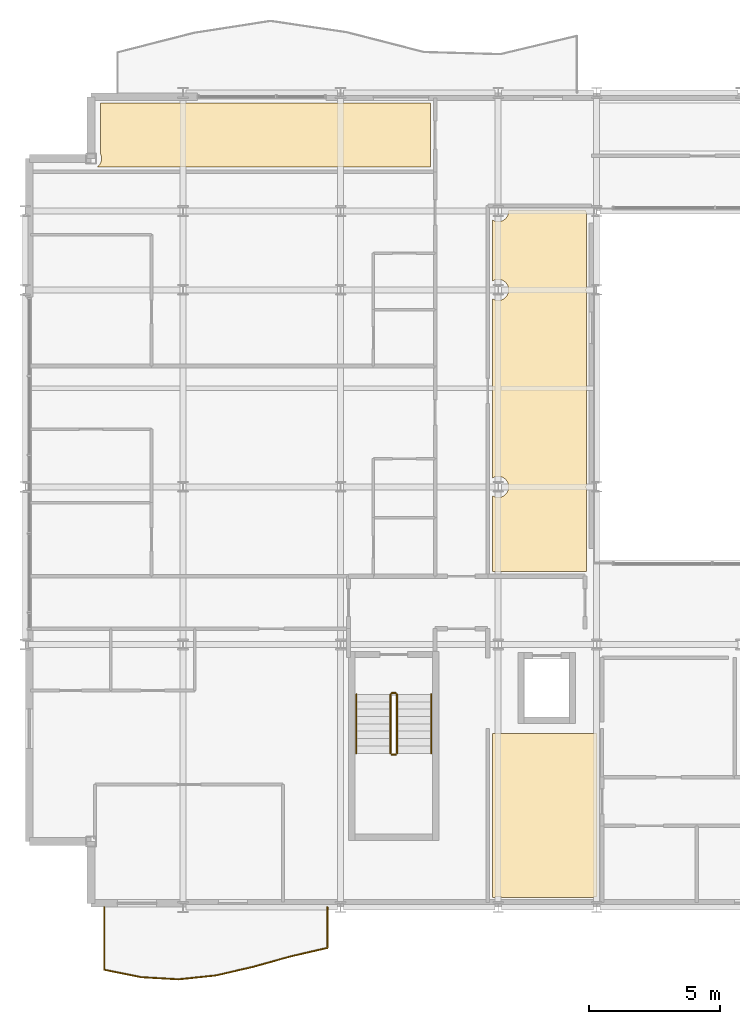
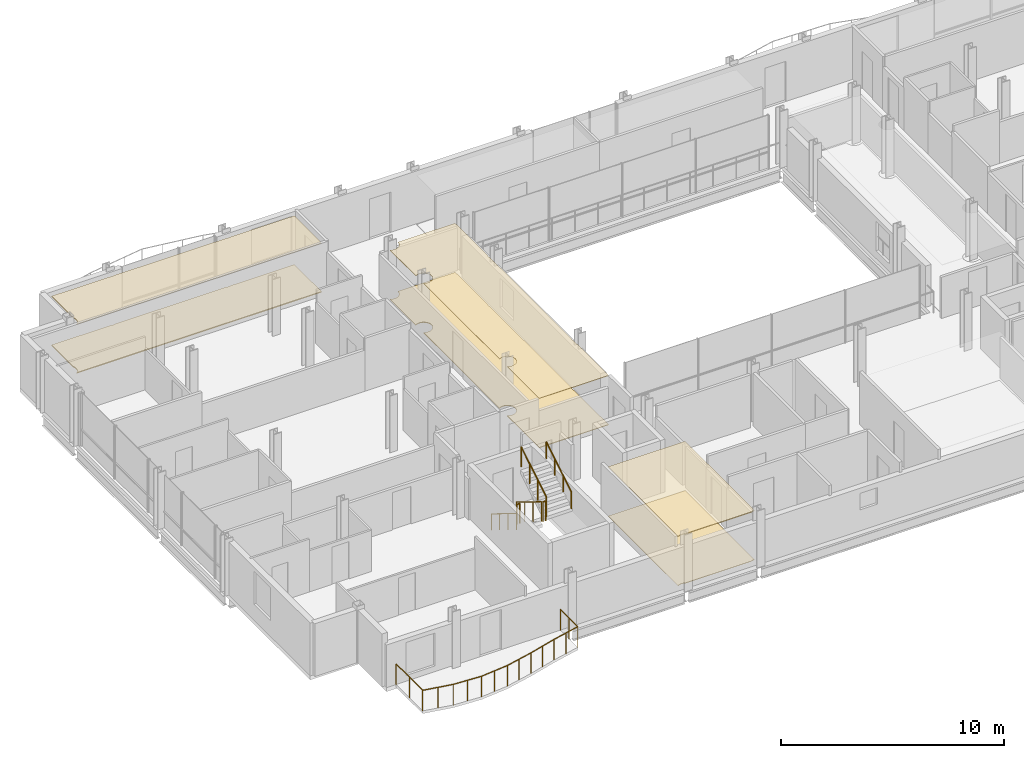
# One storey, part 39 of 41: 7 railings, 6 coverings.
"""IFC4 building model written with IfcOpenShell, lengths in metres."""

from ifc_helpers import new_model, si_unit, direction, frame, origin, origin_2d, place, context, subcontext, project, spatial, polyline, circle, outline, extrude, material, layer, layer_set, type_object, element, save


model = new_model("IFC4")

# Units and contexts
model_context = context("Model", 3, precision=1e-05, world=origin(), true_north=direction((0.0, 1.0)))
body_context = subcontext(model_context, "Body", "Model", "MODEL_VIEW")
ifc_project = project(units=[si_unit("LENGTHUNIT", "METRE"), si_unit("AREAUNIT", "SQUARE_METRE"), si_unit("VOLUMEUNIT", "CUBIC_METRE"), si_unit("PLANEANGLEUNIT", "RADIAN"), si_unit("MASSUNIT", "GRAM", prefix="KILO")], contexts=[model_context])

# Site, building, storey
site_placement = place(None, origin())
site = spatial("IfcSite", under=ifc_project, at=site_placement, CompositionType="ELEMENT")
building_placement = place(site_placement, origin())
building = spatial("IfcBuilding", under=site, at=building_placement, Name="Brevholm Reach", CompositionType="ELEMENT")
storey_placement = place(building_placement, frame((0.0, 0.0, 169.699951171875)))
storey = spatial("IfcBuildingStorey", under=building, at=storey_placement, Name="L51", CompositionType="ELEMENT", Elevation=169.699951171875)

# Coverings
ifc_material_1 = material(Name="Perforated Mineral-Fibre Class-A Acoustic Suspended Ceiling", Category="gypsum")
ifc_layer_1 = layer(ifc_material_1, 0.044921875)
ifc_layer_set_1 = layer_set([ifc_layer_1], Name="Perforated Mineral-Fibre Class-A Acoustic Suspended Ceiling")
covering_type_1 = type_object("IfcCoveringType", Name="COV-CLG-AC", PredefinedType="CEILING", material=ifc_layer_set_1)
covering_1_placement = place(storey_placement, frame((0.0, 0.0, 2.675048828125)))
element("IfcCovering", 1, at=covering_1_placement, inside=storey, type_object=covering_type_1, Name="L51 Suspended Ceiling L51-23", PredefinedType="CEILING", context=body_context, shape_type="SweptSolid", body=[
    extrude(outline(polyline([(21.76611328125, 6.6201171875), (21.76611328125, 0.399169921875), (21.75, 0.39990234375), (21.710693359375, 0.398193359375), (21.672119140625, 0.392333984375), (21.6337890625, 0.3828125), (21.596923828125, 0.36962890625), (21.57666015625, 0.360107421875), (18.17333984375, 0.360107421875), (18.153076171875, 0.36962890625), (18.1162109375, 0.3828125), (18.077880859375, 0.392333984375), (18.039306640625, 0.398193359375), (18.0, 0.39990234375), (17.960693359375, 0.398193359375), (17.922119140625, 0.392333984375), (17.8837890625, 0.3828125), (17.846923828125, 0.36962890625), (17.82666015625, 0.360107421875), (17.783935546875, 0.360107421875), (17.783935546875, 6.6201171875), (21.76611328125, 6.6201171875)])), origin(), (0.0, 0.0, 1.0), 0.044921875),
])
covering_2_placement = place(storey_placement, frame((0.0, 0.0, 2.675048828125)))
element("IfcCovering", 2, at=covering_2_placement, inside=storey, type_object=covering_type_1, Name="L51 Suspended Ceiling L51-59", PredefinedType="CEILING", context=body_context, shape_type="SweptSolid", body=[
    extrude(outline(polyline([(2.860107421875, 30.6201171875), (5.876220703125, 30.6201171875), (5.8837890625, 30.6171875), (5.922119140625, 30.607666015625), (5.960693359375, 30.601806640625), (6.0, 30.60009765625), (6.039306640625, 30.601806640625), (6.077880859375, 30.607666015625), (6.1162109375, 30.6171875), (6.123779296875, 30.6201171875), (11.876220703125, 30.6201171875), (11.8837890625, 30.6171875), (11.922119140625, 30.607666015625), (11.960693359375, 30.601806640625), (12.0, 30.60009765625), (12.039306640625, 30.601806640625), (12.077880859375, 30.607666015625), (12.1162109375, 30.6171875), (12.123779296875, 30.6201171875), (15.416015625, 30.6201171875), (15.416015625, 28.18408203125), (2.74462890625, 28.18408203125), (2.75390625, 28.19091796875), (2.78271484375, 28.21728515625), (2.80908203125, 28.24609375), (2.83251953125, 28.27783203125), (2.852783203125, 28.311279296875), (2.86962890625, 28.346923828125), (2.8828125, 28.3837890625), (2.892333984375, 28.422119140625), (2.898193359375, 28.460693359375), (2.89990234375, 28.5), (2.898193359375, 28.539306640625), (2.892333984375, 28.577880859375), (2.8828125, 28.6162109375), (2.86962890625, 28.653076171875), (2.860107421875, 28.67333984375), (2.860107421875, 30.6201171875)])), origin(), (0.0, 0.0, 1.0), 0.044921875),
])
ifc_material_2 = material(Name="Moisture-Resistant Skimmed Gypsum Plasterboard Ceiling", Category="gypsum")
ifc_layer_2 = layer(ifc_material_2, 0.030029296875)
ifc_layer_set_2 = layer_set([ifc_layer_2], Name="Moisture-Resistant Skimmed Gypsum Plasterboard Ceiling")
covering_type_2 = type_object("IfcCoveringType", Name="COV-CLG-GYP", PredefinedType="CEILING", material=ifc_layer_set_2)
covering_3_placement = place(storey_placement, frame((0.0, 0.0, 2.68994140625)))
element("IfcCovering", 3, at=covering_3_placement, inside=storey, type_object=covering_type_2, Name="L51 Suspended Ceiling L51-57", PredefinedType="CEILING", context=body_context, shape_type="SweptSolid", body=[
    extrude(outline(polyline([(21.3701171875, 23.623779296875), (21.3671875, 23.6162109375), (21.357666015625, 23.577880859375), (21.351806640625, 23.539306640625), (21.35009765625, 23.5), (21.351806640625, 23.460693359375), (21.357666015625, 23.422119140625), (21.3671875, 23.3837890625), (21.3701171875, 23.376220703125), (21.3701171875, 16.123779296875), (21.3671875, 16.1162109375), (21.357666015625, 16.077880859375), (21.351806640625, 16.039306640625), (21.35009765625, 16.0), (21.351806640625, 15.960693359375), (21.357666015625, 15.922119140625), (21.3671875, 15.8837890625), (21.3701171875, 15.876220703125), (21.3701171875, 12.783935546875), (17.783935546875, 12.783935546875), (17.783935546875, 15.663818359375), (17.811279296875, 15.647216796875), (17.846923828125, 15.63037109375), (17.8837890625, 15.6171875), (17.922119140625, 15.607666015625), (17.960693359375, 15.601806640625), (18.0, 15.60009765625), (18.039306640625, 15.601806640625), (18.077880859375, 15.607666015625), (18.1162109375, 15.6171875), (18.153076171875, 15.63037109375), (18.188720703125, 15.647216796875), (18.22216796875, 15.66748046875), (18.25390625, 15.69091796875), (18.28271484375, 15.71728515625), (18.30908203125, 15.74609375), (18.33251953125, 15.77783203125), (18.352783203125, 15.811279296875), (18.36962890625, 15.846923828125), (18.3828125, 15.8837890625), (18.392333984375, 15.922119140625), (18.398193359375, 15.960693359375), (18.39990234375, 16.0), (18.398193359375, 16.039306640625), (18.392333984375, 16.077880859375), (18.3828125, 16.1162109375), (18.36962890625, 16.153076171875), (18.352783203125, 16.188720703125), (18.33251953125, 16.22216796875), (18.30908203125, 16.25390625), (18.28271484375, 16.28271484375), (18.25390625, 16.30908203125), (18.22216796875, 16.33251953125), (18.188720703125, 16.352783203125), (18.153076171875, 16.36962890625), (18.1162109375, 16.3828125), (18.077880859375, 16.392333984375), (18.039306640625, 16.398193359375), (18.0, 16.39990234375), (17.960693359375, 16.398193359375), (17.922119140625, 16.392333984375), (17.8837890625, 16.3828125), (17.846923828125, 16.36962890625), (17.811279296875, 16.352783203125), (17.783935546875, 16.336181640625), (17.783935546875, 23.163818359375), (17.811279296875, 23.147216796875), (17.846923828125, 23.13037109375), (17.8837890625, 23.1171875), (17.922119140625, 23.107666015625), (17.960693359375, 23.101806640625), (18.0, 23.10009765625), (18.039306640625, 23.101806640625), (18.077880859375, 23.107666015625), (18.1162109375, 23.1171875), (18.153076171875, 23.13037109375), (18.188720703125, 23.147216796875), (18.22216796875, 23.16748046875), (18.25390625, 23.19091796875), (18.28271484375, 23.21728515625), (18.30908203125, 23.24609375), (18.33251953125, 23.27783203125), (18.352783203125, 23.311279296875), (18.36962890625, 23.346923828125), (18.3828125, 23.3837890625), (18.392333984375, 23.422119140625), (18.398193359375, 23.460693359375), (18.39990234375, 23.5), (18.398193359375, 23.539306640625), (18.392333984375, 23.577880859375), (18.3828125, 23.6162109375), (18.36962890625, 23.653076171875), (18.352783203125, 23.688720703125), (18.33251953125, 23.72216796875), (18.30908203125, 23.75390625), (18.28271484375, 23.78271484375), (18.25390625, 23.80908203125), (18.22216796875, 23.83251953125), (18.188720703125, 23.852783203125), (18.153076171875, 23.86962890625), (18.1162109375, 23.8828125), (18.077880859375, 23.892333984375), (18.039306640625, 23.898193359375), (18.0, 23.89990234375), (17.960693359375, 23.898193359375), (17.922119140625, 23.892333984375), (17.8837890625, 23.8828125), (17.846923828125, 23.86962890625), (17.811279296875, 23.852783203125), (17.783935546875, 23.836181640625), (17.783935546875, 26.163818359375), (17.811279296875, 26.147216796875), (17.846923828125, 26.13037109375), (17.8837890625, 26.1171875), (17.922119140625, 26.107666015625), (17.960693359375, 26.101806640625), (18.0, 26.10009765625), (18.039306640625, 26.101806640625), (18.077880859375, 26.107666015625), (18.1162109375, 26.1171875), (18.153076171875, 26.13037109375), (18.188720703125, 26.147216796875), (18.22216796875, 26.16748046875), (18.25390625, 26.19091796875), (18.28271484375, 26.21728515625), (18.30908203125, 26.24609375), (18.33251953125, 26.27783203125), (18.352783203125, 26.311279296875), (18.36962890625, 26.346923828125), (18.3828125, 26.3837890625), (18.392333984375, 26.422119140625), (18.398193359375, 26.460693359375), (18.39990234375, 26.5), (18.399169921875, 26.51611328125), (21.350830078125, 26.51611328125), (21.35009765625, 26.5), (21.351806640625, 26.460693359375), (21.357666015625, 26.422119140625), (21.3671875, 26.3837890625), (21.3701171875, 26.376220703125), (21.3701171875, 23.623779296875)])), origin(), (0.0, 0.0, 1.0), 0.030029296875),
])
ifc_material_3 = material(Name="Engineered European Oak Acoustic Plank Flooring", Category="timber")
ifc_layer_3 = layer(ifc_material_3, 0.02197265625)
ifc_layer_set_3 = layer_set([ifc_layer_3], Name="Engineered European Oak Acoustic Plank Flooring")
covering_type_3 = type_object("IfcCoveringType", Name="COV-FLR-OAK", PredefinedType="FLOORING", material=ifc_layer_set_3)
covering_4_placement = place(storey_placement, origin())
element("IfcCovering", 4, at=covering_4_placement, inside=storey, type_object=covering_type_3, Name="L51 Floor Finish L51-23", PredefinedType="FLOORING", context=body_context, shape_type="SweptSolid", body=[
    extrude(outline(polyline([(21.76611328125, 6.6201171875), (21.76611328125, 0.399169921875), (21.75, 0.39990234375), (21.710693359375, 0.398193359375), (21.672119140625, 0.392333984375), (21.6337890625, 0.3828125), (21.596923828125, 0.36962890625), (21.57666015625, 0.360107421875), (18.17333984375, 0.360107421875), (18.153076171875, 0.36962890625), (18.1162109375, 0.3828125), (18.077880859375, 0.392333984375), (18.039306640625, 0.398193359375), (18.0, 0.39990234375), (17.960693359375, 0.398193359375), (17.922119140625, 0.392333984375), (17.8837890625, 0.3828125), (17.846923828125, 0.36962890625), (17.82666015625, 0.360107421875), (17.783935546875, 0.360107421875), (17.783935546875, 6.6201171875), (21.76611328125, 6.6201171875)])), origin(), (0.0, 0.0, 1.0), 0.02197265625),
])
ifc_material_4 = material(Name="Sprung Beech Sports Hall Shock-Absorbing Floor System", Category="timber")
ifc_layer_4 = layer(ifc_material_4, 0.052001953125)
ifc_layer_set_4 = layer_set([ifc_layer_4], Name="Sprung Beech Sports Hall Shock-Absorbing Floor System")
covering_type_4 = type_object("IfcCoveringType", Name="COV-FLR-SPR", PredefinedType="FLOORING", material=ifc_layer_set_4)
covering_5_placement = place(storey_placement, origin())
element("IfcCovering", 5, at=covering_5_placement, inside=storey, type_object=covering_type_4, Name="L51 Sprung Sports Floor Finish L51-59", PredefinedType="FLOORING", context=body_context, shape_type="SweptSolid", body=[
    extrude(outline(polyline([(2.860107421875, 30.6201171875), (5.876220703125, 30.6201171875), (5.8837890625, 30.6171875), (5.922119140625, 30.607666015625), (5.960693359375, 30.601806640625), (6.0, 30.60009765625), (6.039306640625, 30.601806640625), (6.077880859375, 30.607666015625), (6.1162109375, 30.6171875), (6.123779296875, 30.6201171875), (11.876220703125, 30.6201171875), (11.8837890625, 30.6171875), (11.922119140625, 30.607666015625), (11.960693359375, 30.601806640625), (12.0, 30.60009765625), (12.039306640625, 30.601806640625), (12.077880859375, 30.607666015625), (12.1162109375, 30.6171875), (12.123779296875, 30.6201171875), (15.416015625, 30.6201171875), (15.416015625, 28.18408203125), (2.74462890625, 28.18408203125), (2.75390625, 28.19091796875), (2.78271484375, 28.21728515625), (2.80908203125, 28.24609375), (2.83251953125, 28.27783203125), (2.852783203125, 28.311279296875), (2.86962890625, 28.346923828125), (2.8828125, 28.3837890625), (2.892333984375, 28.422119140625), (2.898193359375, 28.460693359375), (2.89990234375, 28.5), (2.898193359375, 28.539306640625), (2.892333984375, 28.577880859375), (2.8828125, 28.6162109375), (2.86962890625, 28.653076171875), (2.860107421875, 28.67333984375), (2.860107421875, 30.6201171875)])), origin(), (0.0, 0.0, 1.0), 0.052001953125),
])
ifc_material_5 = material(Name="Honed Portland-Aggregate Resin Terrazzo Flooring", Category="concrete")
ifc_layer_5 = layer(ifc_material_5, 0.031982421875)
ifc_layer_set_5 = layer_set([ifc_layer_5], Name="Honed Portland-Aggregate Resin Terrazzo Flooring")
covering_type_5 = type_object("IfcCoveringType", Name="COV-FLR-TRZ", PredefinedType="FLOORING", material=ifc_layer_set_5)
covering_6_placement = place(storey_placement, origin())
element("IfcCovering", 6, at=covering_6_placement, inside=storey, type_object=covering_type_5, Name="L51 Floor Finish L51-57", PredefinedType="FLOORING", context=body_context, shape_type="SweptSolid", body=[
    extrude(outline(polyline([(21.3701171875, 23.623779296875), (21.3671875, 23.6162109375), (21.357666015625, 23.577880859375), (21.351806640625, 23.539306640625), (21.35009765625, 23.5), (21.351806640625, 23.460693359375), (21.357666015625, 23.422119140625), (21.3671875, 23.3837890625), (21.3701171875, 23.376220703125), (21.3701171875, 16.123779296875), (21.3671875, 16.1162109375), (21.357666015625, 16.077880859375), (21.351806640625, 16.039306640625), (21.35009765625, 16.0), (21.351806640625, 15.960693359375), (21.357666015625, 15.922119140625), (21.3671875, 15.8837890625), (21.3701171875, 15.876220703125), (21.3701171875, 12.783935546875), (17.783935546875, 12.783935546875), (17.783935546875, 15.663818359375), (17.811279296875, 15.647216796875), (17.846923828125, 15.63037109375), (17.8837890625, 15.6171875), (17.922119140625, 15.607666015625), (17.960693359375, 15.601806640625), (18.0, 15.60009765625), (18.039306640625, 15.601806640625), (18.077880859375, 15.607666015625), (18.1162109375, 15.6171875), (18.153076171875, 15.63037109375), (18.188720703125, 15.647216796875), (18.22216796875, 15.66748046875), (18.25390625, 15.69091796875), (18.28271484375, 15.71728515625), (18.30908203125, 15.74609375), (18.33251953125, 15.77783203125), (18.352783203125, 15.811279296875), (18.36962890625, 15.846923828125), (18.3828125, 15.8837890625), (18.392333984375, 15.922119140625), (18.398193359375, 15.960693359375), (18.39990234375, 16.0), (18.398193359375, 16.039306640625), (18.392333984375, 16.077880859375), (18.3828125, 16.1162109375), (18.36962890625, 16.153076171875), (18.352783203125, 16.188720703125), (18.33251953125, 16.22216796875), (18.30908203125, 16.25390625), (18.28271484375, 16.28271484375), (18.25390625, 16.30908203125), (18.22216796875, 16.33251953125), (18.188720703125, 16.352783203125), (18.153076171875, 16.36962890625), (18.1162109375, 16.3828125), (18.077880859375, 16.392333984375), (18.039306640625, 16.398193359375), (18.0, 16.39990234375), (17.960693359375, 16.398193359375), (17.922119140625, 16.392333984375), (17.8837890625, 16.3828125), (17.846923828125, 16.36962890625), (17.811279296875, 16.352783203125), (17.783935546875, 16.336181640625), (17.783935546875, 23.163818359375), (17.811279296875, 23.147216796875), (17.846923828125, 23.13037109375), (17.8837890625, 23.1171875), (17.922119140625, 23.107666015625), (17.960693359375, 23.101806640625), (18.0, 23.10009765625), (18.039306640625, 23.101806640625), (18.077880859375, 23.107666015625), (18.1162109375, 23.1171875), (18.153076171875, 23.13037109375), (18.188720703125, 23.147216796875), (18.22216796875, 23.16748046875), (18.25390625, 23.19091796875), (18.28271484375, 23.21728515625), (18.30908203125, 23.24609375), (18.33251953125, 23.27783203125), (18.352783203125, 23.311279296875), (18.36962890625, 23.346923828125), (18.3828125, 23.3837890625), (18.392333984375, 23.422119140625), (18.398193359375, 23.460693359375), (18.39990234375, 23.5), (18.398193359375, 23.539306640625), (18.392333984375, 23.577880859375), (18.3828125, 23.6162109375), (18.36962890625, 23.653076171875), (18.352783203125, 23.688720703125), (18.33251953125, 23.72216796875), (18.30908203125, 23.75390625), (18.28271484375, 23.78271484375), (18.25390625, 23.80908203125), (18.22216796875, 23.83251953125), (18.188720703125, 23.852783203125), (18.153076171875, 23.86962890625), (18.1162109375, 23.8828125), (18.077880859375, 23.892333984375), (18.039306640625, 23.898193359375), (18.0, 23.89990234375), (17.960693359375, 23.898193359375), (17.922119140625, 23.892333984375), (17.8837890625, 23.8828125), (17.846923828125, 23.86962890625), (17.811279296875, 23.852783203125), (17.783935546875, 23.836181640625), (17.783935546875, 26.163818359375), (17.811279296875, 26.147216796875), (17.846923828125, 26.13037109375), (17.8837890625, 26.1171875), (17.922119140625, 26.107666015625), (17.960693359375, 26.101806640625), (18.0, 26.10009765625), (18.039306640625, 26.101806640625), (18.077880859375, 26.107666015625), (18.1162109375, 26.1171875), (18.153076171875, 26.13037109375), (18.188720703125, 26.147216796875), (18.22216796875, 26.16748046875), (18.25390625, 26.19091796875), (18.28271484375, 26.21728515625), (18.30908203125, 26.24609375), (18.33251953125, 26.27783203125), (18.352783203125, 26.311279296875), (18.36962890625, 26.346923828125), (18.3828125, 26.3837890625), (18.392333984375, 26.422119140625), (18.398193359375, 26.460693359375), (18.39990234375, 26.5), (18.399169921875, 26.51611328125), (21.350830078125, 26.51611328125), (21.35009765625, 26.5), (21.351806640625, 26.460693359375), (21.357666015625, 26.422119140625), (21.3671875, 26.3837890625), (21.3701171875, 26.376220703125), (21.3701171875, 23.623779296875)])), origin(), (0.0, 0.0, 1.0), 0.031982421875),
])

# Railings
ifc_material_6 = material(Name="Brushed Stainless Steel EN 1.4401 and Laminated Glass", Category="steel")
railing_type_1 = type_object("IfcRailingType", Name="RAL-BALC-1150", PredefinedType="BALUSTRADE", material=ifc_material_6)
railing_1_placement = place(storey_placement, frame((3.0, 0.0, 0.0)))
element("IfcRailing", 7, at=railing_1_placement, inside=storey, type_object=railing_type_1, Name="L51 Guard Balustrade RAL-L51-BAL-SW", PredefinedType="BALUSTRADE", context=body_context, shape_type="SweptSolid", body=[
    extrude(circle(Radius=0.02392578125, at=origin_2d()), frame((0.0, 0.0, 1.1259765625), z_axis=(0.0, -1.0, 0.0), x_axis=(1.0, 0.0, 0.0)), (0.0, 0.0, 1.0), 2.38134765625),
    extrude(circle(Radius=0.02392578125, at=origin_2d()), frame((0.0, -2.38134765625, 1.1259765625), z_axis=(0.980502614423, -0.196506038355, 0.0), x_axis=(0.196506038355, 0.980502614423, 0.0)), (0.0, 0.0, 1.0), 1.44482421875),
    extrude(circle(Radius=0.02392578125, at=origin_2d()), frame((1.416748046875, -2.665283203125, 1.1259765625), z_axis=(0.998327360231, -0.057814200799, 0.0), x_axis=(0.057814200799, 0.998327360231, 0.0)), (0.0, 0.0, 1.0), 1.4189453125),
    extrude(circle(Radius=0.02392578125, at=origin_2d()), frame((2.833251953125, -2.747314453125, 1.1259765625), z_axis=(0.994609205974, 0.103694394212, 0.0), x_axis=(-0.103694394212, 0.994609205974, 0.0)), (0.0, 0.0, 1.0), 1.42431640625),
    extrude(circle(Radius=0.02392578125, at=origin_2d()), frame((4.25, -2.599609375, 1.1259765625), z_axis=(0.974360057668, 0.224994395533, 0.0), x_axis=(-0.224994395533, 0.974360057668, 0.0)), (0.0, 0.0, 1.0), 1.4541015625),
    extrude(circle(Radius=0.02392578125, at=origin_2d()), frame((5.666748046875, -2.2724609375, 1.1259765625), z_axis=(0.963289212232, 0.268465814578, 0.0), x_axis=(-0.268465814578, 0.963289212232, 0.0)), (0.0, 0.0, 1.0), 1.470458984375),
    extrude(circle(Radius=0.02392578125, at=origin_2d()), frame((7.083251953125, -1.877685546875, 1.1259765625), z_axis=(0.974323236677, 0.225153792932, 0.0), x_axis=(-0.225153792932, 0.974323236677, 0.0)), (0.0, 0.0, 1.0), 1.4541015625),
    extrude(circle(Radius=0.02392578125, at=origin_2d()), frame((8.5, -1.55029296875, 1.1259765625), z_axis=(0.0, 1.0, 0.0), x_axis=(-1.0, 0.0, 0.0)), (0.0, 0.0, 1.0), 1.55029296875),
    extrude(circle(Radius=0.02099609375, at=origin_2d()), origin(), (0.0, 0.0, 1.0), 1.101806640625),
    extrude(circle(Radius=0.02099609375, at=origin_2d()), frame((0.0, -1.190673828125, 0.0)), (0.0, 0.0, 1.0), 1.101806640625),
    extrude(circle(Radius=0.02099609375, at=origin_2d()), frame((0.0, -2.38134765625, 0.0)), (0.0, 0.0, 1.0), 1.101806640625),
    extrude(circle(Radius=0.02099609375, at=origin_2d()), frame((0.70849609375, -2.5234375, 0.0)), (0.0, 0.0, 1.0), 1.101806640625),
    extrude(circle(Radius=0.02099609375, at=origin_2d()), frame((1.416748046875, -2.665283203125, 0.0)), (0.0, 0.0, 1.0), 1.101806640625),
    extrude(circle(Radius=0.02099609375, at=origin_2d()), frame((2.125, -2.706298828125, 0.0)), (0.0, 0.0, 1.0), 1.101806640625),
    extrude(circle(Radius=0.02099609375, at=origin_2d()), frame((2.833251953125, -2.747314453125, 0.0)), (0.0, 0.0, 1.0), 1.101806640625),
    extrude(circle(Radius=0.02099609375, at=origin_2d()), frame((3.54150390625, -2.67333984375, 0.0)), (0.0, 0.0, 1.0), 1.101806640625),
    extrude(circle(Radius=0.02099609375, at=origin_2d()), frame((4.25, -2.599609375, 0.0)), (0.0, 0.0, 1.0), 1.101806640625),
    extrude(circle(Radius=0.02099609375, at=origin_2d()), frame((4.95849609375, -2.43603515625, 0.0)), (0.0, 0.0, 1.0), 1.101806640625),
    extrude(circle(Radius=0.02099609375, at=origin_2d()), frame((5.666748046875, -2.2724609375, 0.0)), (0.0, 0.0, 1.0), 1.101806640625),
    extrude(circle(Radius=0.02099609375, at=origin_2d()), frame((6.375, -2.0751953125, 0.0)), (0.0, 0.0, 1.0), 1.101806640625),
    extrude(circle(Radius=0.02099609375, at=origin_2d()), frame((7.083251953125, -1.877685546875, 0.0)), (0.0, 0.0, 1.0), 1.101806640625),
    extrude(circle(Radius=0.02099609375, at=origin_2d()), frame((7.79150390625, -1.7138671875, 0.0)), (0.0, 0.0, 1.0), 1.101806640625),
    extrude(circle(Radius=0.02099609375, at=origin_2d()), frame((8.5, -1.55029296875, 0.0)), (0.0, 0.0, 1.0), 1.101806640625),
    extrude(circle(Radius=0.02099609375, at=origin_2d()), frame((8.5, -0.775146484375, 0.0)), (0.0, 0.0, 1.0), 1.101806640625),
    extrude(circle(Radius=0.02099609375, at=origin_2d()), frame((8.5, 0.0, 0.0)), (0.0, 0.0, 1.0), 1.101806640625),
])
ifc_material_7 = material(Name="Brushed Stainless Steel EN 1.4401 Continuous Handrail", Category="steel")
railing_type_2 = type_object("IfcRailingType", Name="RAL-HND-950", PredefinedType="HANDRAIL", material=ifc_material_7)
railing_2_placement = place(storey_placement, frame((12.60009765625, 8.10009765625, 0.17236328125)))
element("IfcRailing", 8, at=railing_2_placement, inside=storey, type_object=railing_type_2, Name="L51 ST-1 stair handrail 1", PredefinedType="HANDRAIL", context=body_context, shape_type="SweptSolid", body=[
    extrude(circle(Radius=0.02392578125, at=origin_2d()), frame((0.0, 0.0, 0.8857421875), z_axis=(0.0, -0.85178898068, 0.523885037382), x_axis=(1.0, 0.0, 0.0)), (0.0, 0.0, 1.0), 2.629638671875),
    extrude(circle(Radius=0.02099609375, at=origin_2d()), origin(), (0.0, 0.0, 1.0), 0.86181640625),
    extrude(circle(Radius=0.02099609375, at=origin_2d()), frame((0.0, -0.74658203125, 0.459228515625)), (0.0, 0.0, 1.0), 0.86181640625),
    extrude(circle(Radius=0.02099609375, at=origin_2d()), frame((0.0, -1.493408203125, 0.91845703125)), (0.0, 0.0, 1.0), 0.86181640625),
    extrude(circle(Radius=0.02099609375, at=origin_2d()), frame((0.0, -2.239990234375, 1.377685546875)), (0.0, 0.0, 1.0), 0.86181640625),
])
railing_3_placement = place(storey_placement, frame((15.449951171875, 5.860107421875, 1.72216796875)))
element("IfcRailing", 9, at=railing_3_placement, inside=storey, type_object=railing_type_2, Name="L51 ST-1 stair handrail 2", PredefinedType="HANDRAIL", context=body_context, shape_type="SweptSolid", body=[
    extrude(circle(Radius=0.02392578125, at=origin_2d()), frame((0.0, 0.0, 0.8857421875), z_axis=(0.0, 0.851747552033, 0.523952390591), x_axis=(-1.0, 0.0, 0.0)), (0.0, 0.0, 1.0), 2.6298828125),
    extrude(circle(Radius=0.02099609375, at=origin_2d()), origin(), (0.0, 0.0, 1.0), 0.86181640625),
    extrude(circle(Radius=0.02099609375, at=origin_2d()), frame((0.0, 0.74658203125, 0.459228515625)), (0.0, 0.0, 1.0), 0.86181640625),
    extrude(circle(Radius=0.02099609375, at=origin_2d()), frame((0.0, 1.493408203125, 0.918701171875)), (0.0, 0.0, 1.0), 0.86181640625),
    extrude(circle(Radius=0.02099609375, at=origin_2d()), frame((0.0, 2.239990234375, 1.3779296875)), (0.0, 0.0, 1.0), 0.86181640625),
])
ifc_material_8 = material(Name="Painted Tubular Galvanised Steel S275JR Stair Guard", Category="steel")
railing_type_3 = type_object("IfcRailingType", Name="RAL-STG-1120", PredefinedType="BALUSTRADE", material=ifc_material_8)
railing_4_placement = place(storey_placement, frame((13.89990234375, 8.10009765625, 0.17236328125)))
element("IfcRailing", 10, at=railing_4_placement, inside=storey, type_object=railing_type_3, Name="L51 ST-1 stair guard 1", PredefinedType="BALUSTRADE", context=body_context, shape_type="SweptSolid", body=[
    extrude(circle(Radius=0.02392578125, at=origin_2d()), frame((0.0, 0.0, 1.076171875), z_axis=(0.0, -0.85178898068, 0.523885037382), x_axis=(1.0, 0.0, 0.0)), (0.0, 0.0, 1.0), 2.629638671875),
    extrude(circle(Radius=0.02099609375, at=origin_2d()), origin(), (0.0, 0.0, 1.0), 1.052001953125),
    extrude(circle(Radius=0.02099609375, at=origin_2d()), frame((0.0, -0.74658203125, 0.459228515625)), (0.0, 0.0, 1.0), 1.052001953125),
    extrude(circle(Radius=0.02099609375, at=origin_2d()), frame((0.0, -1.493408203125, 0.91845703125)), (0.0, 0.0, 1.0), 1.052001953125),
    extrude(circle(Radius=0.02099609375, at=origin_2d()), frame((0.0, -2.239990234375, 1.377685546875)), (0.0, 0.0, 1.0), 1.052001953125),
])
railing_5_placement = place(storey_placement, frame((13.949951171875, 5.81005859375, 1.550048828125)))
element("IfcRailing", 11, at=railing_5_placement, inside=storey, type_object=railing_type_3, Name="L51 ST-1 stair guard 2", PredefinedType="BALUSTRADE", context=body_context, shape_type="SweptSolid", body=[
    extrude(circle(Radius=0.02392578125, at=origin_2d()), frame((0.0, 0.0, 1.076171875), z_axis=(1.0, 0.0, 0.0), x_axis=(0.0, 1.0, 0.0)), (0.0, 0.0, 1.0), 0.150146484375),
    extrude(circle(Radius=0.02099609375, at=origin_2d()), origin(), (0.0, 0.0, 1.0), 1.052001953125),
    extrude(circle(Radius=0.02099609375, at=origin_2d()), frame((0.150146484375, 0.0, 0.0)), (0.0, 0.0, 1.0), 1.052001953125),
])
railing_6_placement = place(storey_placement, frame((14.14990234375, 5.860107421875, 1.72216796875)))
element("IfcRailing", 12, at=railing_6_placement, inside=storey, type_object=railing_type_3, Name="L51 ST-1 stair guard 3", PredefinedType="BALUSTRADE", context=body_context, shape_type="SweptSolid", body=[
    extrude(circle(Radius=0.02392578125, at=origin_2d()), frame((0.0, 0.0, 1.076171875), z_axis=(0.0, 0.851747552033, 0.523952390591), x_axis=(-1.0, 0.0, 0.0)), (0.0, 0.0, 1.0), 2.6298828125),
    extrude(circle(Radius=0.02099609375, at=origin_2d()), origin(), (0.0, 0.0, 1.0), 1.052001953125),
    extrude(circle(Radius=0.02099609375, at=origin_2d()), frame((0.0, 0.74658203125, 0.459228515625)), (0.0, 0.0, 1.0), 1.052001953125),
    extrude(circle(Radius=0.02099609375, at=origin_2d()), frame((0.0, 1.493408203125, 0.918701171875)), (0.0, 0.0, 1.0), 1.052001953125),
    extrude(circle(Radius=0.02099609375, at=origin_2d()), frame((0.0, 2.239990234375, 1.3779296875)), (0.0, 0.0, 1.0), 1.052001953125),
])
railing_7_placement = place(storey_placement, frame((13.949951171875, 8.14990234375, 0.0)))
element("IfcRailing", 13, at=railing_7_placement, inside=storey, type_object=railing_type_3, Name="L51 ST-1 stair guard 4", PredefinedType="BALUSTRADE", context=body_context, shape_type="SweptSolid", body=[
    extrude(circle(Radius=0.02392578125, at=origin_2d()), frame((0.0, 0.0, 1.076171875), z_axis=(1.0, 0.0, 0.0), x_axis=(0.0, 1.0, 0.0)), (0.0, 0.0, 1.0), 0.150146484375),
    extrude(circle(Radius=0.02099609375, at=origin_2d()), origin(), (0.0, 0.0, 1.0), 1.052001953125),
    extrude(circle(Radius=0.02099609375, at=origin_2d()), frame((0.150146484375, 0.0, 0.0)), (0.0, 0.0, 1.0), 1.052001953125),
])

save(model, "model.ifc")
